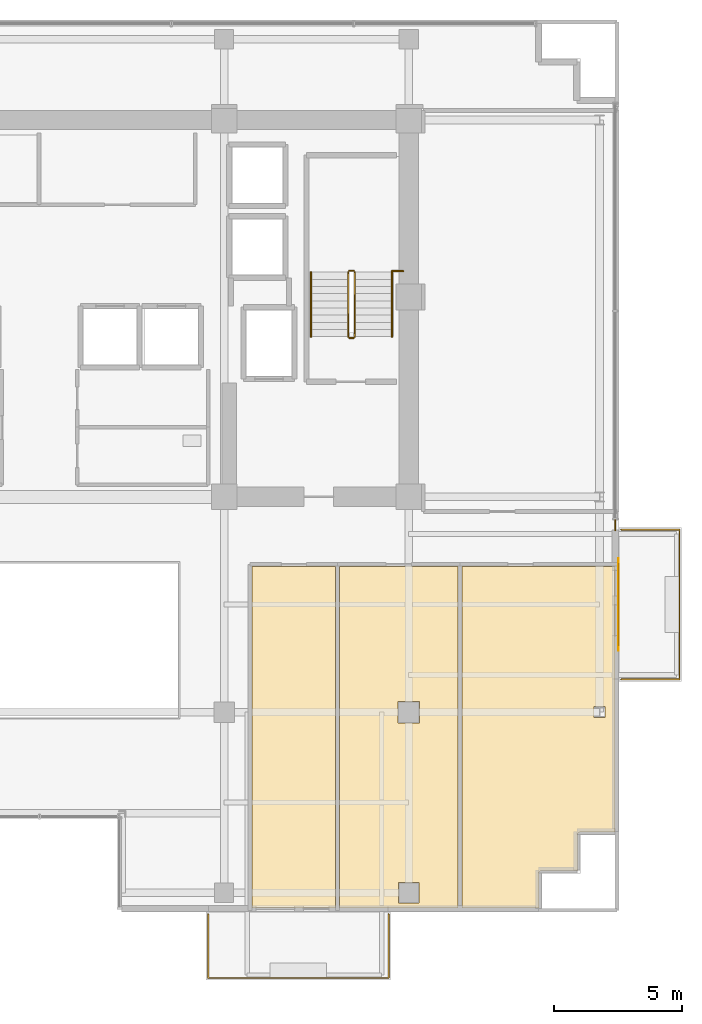
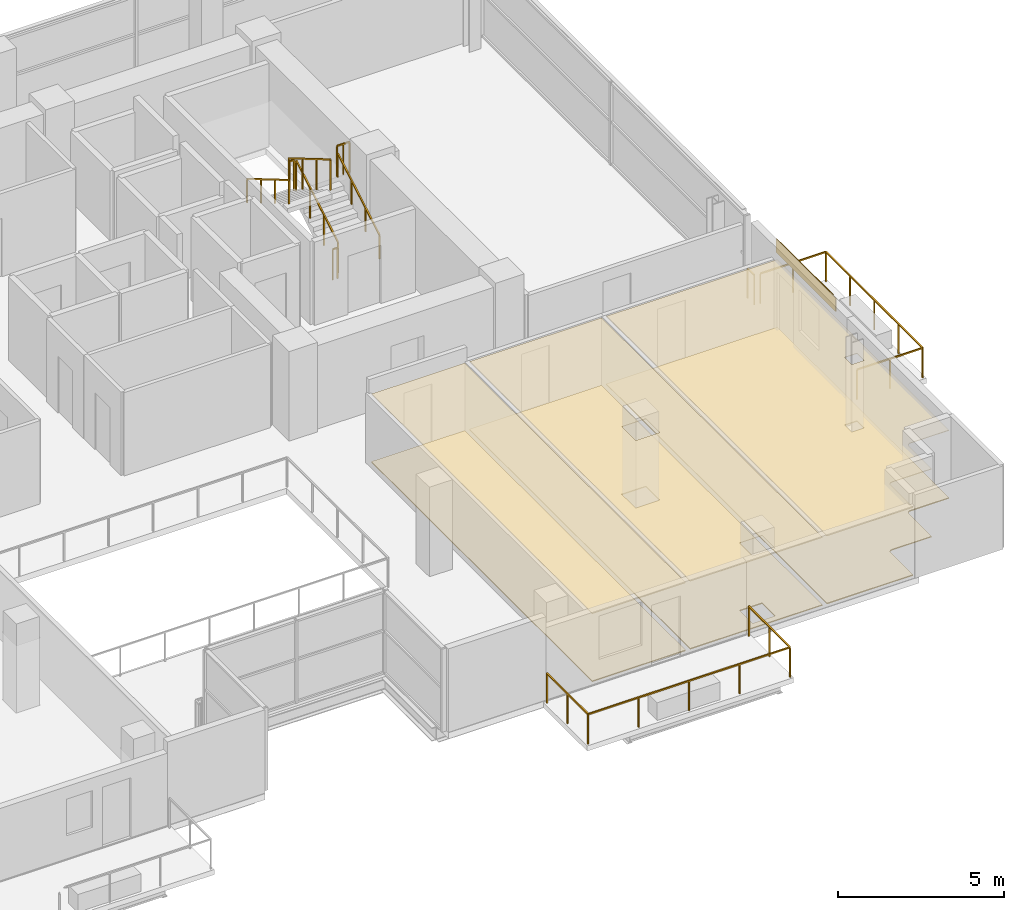
# One storey, part 24 of 25: 10 railings, 7 coverings, 1 shading device.
"""IFC4 building model written with IfcOpenShell, lengths in metres."""

from ifc_helpers import new_model, si_unit, direction, frame, origin, origin_2d, place, context, subcontext, project, spatial, polyline, rectangle, outline, extrude, source, transform, mapped, material, layer, layer_set, type_object, element, save


model = new_model("IFC4")

# Units and contexts
model_context = context("Model", 3, precision=1e-05, world=origin(), true_north=direction((0.0, 1.0)))
body_context = subcontext(model_context, "Body", "Model", "MODEL_VIEW")
ifc_project = project(units=[si_unit("LENGTHUNIT", "METRE"), si_unit("AREAUNIT", "SQUARE_METRE"), si_unit("VOLUMEUNIT", "CUBIC_METRE"), si_unit("PLANEANGLEUNIT", "RADIAN"), si_unit("MASSUNIT", "GRAM", prefix="KILO")], contexts=[model_context])

# Site, building, storey
site_placement = place(None, origin())
site = spatial("IfcSite", under=ifc_project, at=site_placement, CompositionType="ELEMENT")
building_placement = place(site_placement, origin())
building = spatial("IfcBuilding", under=site, at=building_placement, Name="Zarnakvel Exchange Tower", CompositionType="ELEMENT")
storey_placement = place(building_placement, frame((0.0, 0.0, 156.10009765625)))
storey = spatial("IfcBuildingStorey", under=building, at=storey_placement, Name="L43", CompositionType="ELEMENT", Elevation=156.10009765625)

# Coverings
ifc_material_1 = material(Name="Perforated Bronze Acoustic Metal Ceiling", Category="aluminium")
ifc_layer_1 = layer(ifc_material_1, 0.02001953125)
ifc_layer_set_1 = layer_set([ifc_layer_1], Name="Perforated Bronze Acoustic Metal Ceiling")
covering_type_1 = type_object("IfcCoveringType", Name="CLG-01", PredefinedType="CEILING", material=ifc_layer_set_1)
covering_1_placement = place(storey_placement, frame((0.0, 0.0, 2.5048828125)))
element("IfcCovering", 1, at=covering_1_placement, inside=storey, type_object=covering_type_1, Name="L43 Suspended Acoustic Ceiling (Meeting Room)", PredefinedType="CEILING", context=body_context, shape_type="SweptSolid", body=[
    extrude(outline(polyline([(8.294677734375, -3.909912109375), (11.550048828125, -3.909912109375), (11.550048828125, -17.25), (8.294677734375, -17.25), (8.294677734375, -3.909912109375)])), origin(), (0.0, 0.0, 1.0), 0.02001953125),
])
covering_2_placement = place(storey_placement, frame((0.0, 0.0, 2.5048828125)))
element("IfcCovering", 2, at=covering_2_placement, inside=storey, type_object=covering_type_1, Name="L43 Suspended Acoustic Ceiling (Breakout Pantry)", PredefinedType="CEILING", context=body_context, shape_type="SweptSolid", body=[
    extrude(outline(polyline([(11.7099609375, -3.909912109375), (16.32177734375, -3.909912109375), (16.32177734375, -17.25), (11.7099609375, -17.25), (11.7099609375, -3.909912109375)]), holes=[polyline([(14.820068359375, -10.02001953125), (14.820068359375, -9.179931640625), (13.97998046875, -9.179931640625), (13.97998046875, -10.02001953125), (14.820068359375, -10.02001953125)]), polyline([(14.794921875, -17.044921875), (14.794921875, -16.2548828125), (14.0048828125, -16.2548828125), (14.0048828125, -17.044921875), (14.794921875, -17.044921875)])]), origin(), (0.0, 0.0, 1.0), 0.02001953125),
])
covering_3_placement = place(storey_placement, frame((0.0, 0.0, 2.5048828125)))
element("IfcCovering", 3, at=covering_3_placement, inside=storey, type_object=covering_type_1, Name="L43 Suspended Acoustic Ceiling (Settlement Office)", PredefinedType="CEILING", context=body_context, shape_type="SweptSolid", body=[
    extrude(outline(polyline([(16.481689453125, -3.909912109375), (22.449951171875, -3.909912109375), (22.449951171875, -14.280029296875), (21.10009765625, -14.280029296875), (21.088134765625, -14.280517578125), (21.07666015625, -14.2822265625), (21.065185546875, -14.28515625), (21.05419921875, -14.2890625), (21.04345703125, -14.294189453125), (21.033447265625, -14.30029296875), (21.02392578125, -14.30712890625), (21.01513671875, -14.315185546875), (21.00732421875, -14.323974609375), (21.000244140625, -14.333251953125), (20.994140625, -14.343505859375), (20.989013671875, -14.35400390625), (20.985107421875, -14.365234375), (20.982421875, -14.376708984375), (20.98046875, -14.38818359375), (20.97998046875, -14.39990234375), (20.97998046875, -15.780029296875), (19.60009765625, -15.780029296875), (19.588134765625, -15.780517578125), (19.57666015625, -15.7822265625), (19.565185546875, -15.78515625), (19.55419921875, -15.7890625), (19.54345703125, -15.794189453125), (19.533447265625, -15.80029296875), (19.52392578125, -15.80712890625), (19.51513671875, -15.815185546875), (19.50732421875, -15.823974609375), (19.500244140625, -15.833251953125), (19.494140625, -15.843505859375), (19.489013671875, -15.85400390625), (19.485107421875, -15.865234375), (19.482421875, -15.876708984375), (19.48046875, -15.88818359375), (19.47998046875, -15.89990234375), (19.47998046875, -17.25), (16.481689453125, -17.25), (16.481689453125, -3.909912109375)]), holes=[polyline([(22.069580078125, -9.81689453125), (22.069580078125, -9.38330078125), (21.630615234375, -9.38330078125), (21.630615234375, -9.81689453125), (22.069580078125, -9.81689453125)])]), origin(), (0.0, 0.0, 1.0), 0.02001953125),
])
ifc_material_2 = material(Name="Heavy-Duty Raised Access Floor Panel", Category="steel")
ifc_layer_2 = layer(ifc_material_2, 0.034912109375)
ifc_layer_set_2 = layer_set([ifc_layer_2], Name="Heavy-Duty Raised Access Floor Panel")
covering_type_2 = type_object("IfcCoveringType", Name="FLR-02", PredefinedType="FLOORING", material=ifc_layer_set_2)
covering_4_placement = place(storey_placement, origin())
element("IfcCovering", 4, at=covering_4_placement, inside=storey, type_object=covering_type_2, Name="L43 Floor Finish (Meeting Room)", PredefinedType="FLOORING", context=body_context, shape_type="SweptSolid", body=[
    extrude(outline(polyline([(8.294677734375, -3.909912109375), (11.550048828125, -3.909912109375), (11.550048828125, -17.25), (8.294677734375, -17.25), (8.294677734375, -3.909912109375)])), origin(), (0.0, 0.0, 1.0), 0.034912109375),
])
covering_5_placement = place(storey_placement, origin())
element("IfcCovering", 5, at=covering_5_placement, inside=storey, type_object=covering_type_2, Name="L43 Floor Finish (Breakout Pantry)", PredefinedType="FLOORING", context=body_context, shape_type="SweptSolid", body=[
    extrude(outline(polyline([(11.7099609375, -3.909912109375), (16.32177734375, -3.909912109375), (16.32177734375, -17.25), (11.7099609375, -17.25), (11.7099609375, -3.909912109375)]), holes=[polyline([(14.820068359375, -10.02001953125), (14.820068359375, -9.179931640625), (13.97998046875, -9.179931640625), (13.97998046875, -10.02001953125), (14.820068359375, -10.02001953125)]), polyline([(14.794921875, -17.044921875), (14.794921875, -16.2548828125), (14.0048828125, -16.2548828125), (14.0048828125, -17.044921875), (14.794921875, -17.044921875)])]), origin(), (0.0, 0.0, 1.0), 0.034912109375),
])
covering_6_placement = place(storey_placement, origin())
element("IfcCovering", 6, at=covering_6_placement, inside=storey, type_object=covering_type_2, Name="L43 Floor Finish (Settlement Office)", PredefinedType="FLOORING", context=body_context, shape_type="SweptSolid", body=[
    extrude(outline(polyline([(16.481689453125, -3.909912109375), (22.449951171875, -3.909912109375), (22.449951171875, -14.280029296875), (21.10009765625, -14.280029296875), (21.088134765625, -14.280517578125), (21.07666015625, -14.2822265625), (21.065185546875, -14.28515625), (21.05419921875, -14.2890625), (21.04345703125, -14.294189453125), (21.033447265625, -14.30029296875), (21.02392578125, -14.30712890625), (21.01513671875, -14.315185546875), (21.00732421875, -14.323974609375), (21.000244140625, -14.333251953125), (20.994140625, -14.343505859375), (20.989013671875, -14.35400390625), (20.985107421875, -14.365234375), (20.982421875, -14.376708984375), (20.98046875, -14.38818359375), (20.97998046875, -14.39990234375), (20.97998046875, -15.780029296875), (19.60009765625, -15.780029296875), (19.588134765625, -15.780517578125), (19.57666015625, -15.7822265625), (19.565185546875, -15.78515625), (19.55419921875, -15.7890625), (19.54345703125, -15.794189453125), (19.533447265625, -15.80029296875), (19.52392578125, -15.80712890625), (19.51513671875, -15.815185546875), (19.50732421875, -15.823974609375), (19.500244140625, -15.833251953125), (19.494140625, -15.843505859375), (19.489013671875, -15.85400390625), (19.485107421875, -15.865234375), (19.482421875, -15.876708984375), (19.48046875, -15.88818359375), (19.47998046875, -15.89990234375), (19.47998046875, -17.25), (16.481689453125, -17.25), (16.481689453125, -3.909912109375)]), holes=[polyline([(22.069580078125, -9.81689453125), (22.069580078125, -9.38330078125), (21.630615234375, -9.38330078125), (21.630615234375, -9.81689453125), (22.069580078125, -9.81689453125)])]), origin(), (0.0, 0.0, 1.0), 0.034912109375),
])

# Railings
ifc_material_3 = material(Name="Architectural Bronze Anodised Aluminium", Category="aluminium")
railing_type_1 = type_object("IfcRailingType", Name="GR-02", PredefinedType="GUARDRAIL", material=ifc_material_3)
railing_1_placement = place(storey_placement, frame((6.580078125, -17.47998046875, -0.03515625)))
element("IfcRailing", 7, at=railing_1_placement, inside=storey, type_object=railing_type_1, Name="L43 Balcony Guardrail BAL-L43-SE", PredefinedType="GUARDRAIL", context=body_context, shape_type="SweptSolid", body=[
    extrude(rectangle(XDim=0.048095703125, YDim=0.048095703125, at=origin_2d()), frame((0.0, 0.0, 1.09619140625), z_axis=(0.0, -1.0, 0.0), x_axis=(1.0, 0.0, 0.0)), (0.0, 0.0, 1.0), 2.489990234375),
    extrude(rectangle(XDim=0.048095703125, YDim=0.048095703125, at=origin_2d()), frame((0.0, -2.489990234375, 1.09619140625), z_axis=(1.0, 0.0, 0.0), x_axis=(0.0, 1.0, 0.0)), (0.0, 0.0, 1.0), 7.0400390625),
    extrude(rectangle(XDim=0.048095703125, YDim=0.048095703125, at=origin_2d()), frame((7.0400390625, -2.489990234375, 1.09619140625), z_axis=(0.0, 1.0, 0.0), x_axis=(-1.0, 0.0, 0.0)), (0.0, 0.0, 1.0), 2.489990234375),
    extrude(rectangle(XDim=0.0419921875, YDim=0.0419921875, at=origin_2d()), origin(), (0.0, 0.0, 1.0), 1.072021484375),
    extrude(rectangle(XDim=0.0419921875, YDim=0.0419921875, at=origin_2d()), frame((0.0, -1.2451171875, 0.0)), (0.0, 0.0, 1.0), 1.072021484375),
    extrude(rectangle(XDim=0.0419921875, YDim=0.0419921875, at=origin_2d()), frame((0.0, -2.489990234375, 0.0)), (0.0, 0.0, 1.0), 1.072021484375),
    extrude(rectangle(XDim=0.0419921875, YDim=0.0419921875, at=origin_2d()), frame((1.760009765625, -2.489990234375, 0.0)), (0.0, 0.0, 1.0), 1.072021484375),
    extrude(rectangle(XDim=0.0419921875, YDim=0.0419921875, at=origin_2d()), frame((3.52001953125, -2.489990234375, 0.0)), (0.0, 0.0, 1.0), 1.072021484375),
    extrude(rectangle(XDim=0.0419921875, YDim=0.0419921875, at=origin_2d()), frame((5.280029296875, -2.489990234375, 0.0)), (0.0, 0.0, 1.0), 1.072021484375),
    extrude(rectangle(XDim=0.0419921875, YDim=0.0419921875, at=origin_2d()), frame((7.0400390625, -2.489990234375, 0.0)), (0.0, 0.0, 1.0), 1.072021484375),
    extrude(rectangle(XDim=0.0419921875, YDim=0.0419921875, at=origin_2d()), frame((7.0400390625, -1.2451171875, 0.0)), (0.0, 0.0, 1.0), 1.072021484375),
    extrude(rectangle(XDim=0.0419921875, YDim=0.0419921875, at=origin_2d()), frame((7.0400390625, 0.0, 0.0)), (0.0, 0.0, 1.0), 1.072021484375),
])
railing_2_placement = place(storey_placement, frame((22.679931640625, -8.320068359375, -0.03515625)))
element("IfcRailing", 8, at=railing_2_placement, inside=storey, type_object=railing_type_1, Name="L43 Balcony Guardrail BAL-L43-E", PredefinedType="GUARDRAIL", context=body_context, shape_type="SweptSolid", body=[
    extrude(rectangle(XDim=0.048095703125, YDim=0.048095703125, at=origin_2d()), frame((0.0, 0.0, 1.09619140625), z_axis=(1.0, 0.0, 0.0), x_axis=(0.0, 1.0, 0.0)), (0.0, 0.0, 1.0), 2.2900390625),
    extrude(rectangle(XDim=0.048095703125, YDim=0.048095703125, at=origin_2d()), frame((2.2900390625, 0.0, 1.09619140625), z_axis=(0.0, 1.0, 0.0), x_axis=(-1.0, 0.0, 0.0)), (0.0, 0.0, 1.0), 5.840087890625),
    extrude(rectangle(XDim=0.048095703125, YDim=0.048095703125, at=origin_2d()), frame((2.2900390625, 5.840087890625, 1.09619140625), z_axis=(-1.0, 0.0, 0.0), x_axis=(0.0, -1.0, 0.0)), (0.0, 0.0, 1.0), 2.2900390625),
    extrude(rectangle(XDim=0.0419921875, YDim=0.0419921875, at=origin_2d()), origin(), (0.0, 0.0, 1.0), 1.072021484375),
    extrude(rectangle(XDim=0.0419921875, YDim=0.0419921875, at=origin_2d()), frame((1.14501953125, 0.0, 0.0)), (0.0, 0.0, 1.0), 1.072021484375),
    extrude(rectangle(XDim=0.0419921875, YDim=0.0419921875, at=origin_2d()), frame((2.2900390625, 0.0, 0.0)), (0.0, 0.0, 1.0), 1.072021484375),
    extrude(rectangle(XDim=0.0419921875, YDim=0.0419921875, at=origin_2d()), frame((2.2900390625, 1.4599609375, 0.0)), (0.0, 0.0, 1.0), 1.072021484375),
    extrude(rectangle(XDim=0.0419921875, YDim=0.0419921875, at=origin_2d()), frame((2.2900390625, 2.919921875, 0.0)), (0.0, 0.0, 1.0), 1.072021484375),
    extrude(rectangle(XDim=0.0419921875, YDim=0.0419921875, at=origin_2d()), frame((2.2900390625, 4.380126953125, 0.0)), (0.0, 0.0, 1.0), 1.072021484375),
    extrude(rectangle(XDim=0.0419921875, YDim=0.0419921875, at=origin_2d()), frame((2.2900390625, 5.840087890625, 0.0)), (0.0, 0.0, 1.0), 1.072021484375),
    extrude(rectangle(XDim=0.0419921875, YDim=0.0419921875, at=origin_2d()), frame((1.14501953125, 5.840087890625, 0.0)), (0.0, 0.0, 1.0), 1.072021484375),
    extrude(rectangle(XDim=0.0419921875, YDim=0.0419921875, at=origin_2d()), frame((0.0, 5.840087890625, 0.0)), (0.0, 0.0, 1.0), 1.072021484375),
])
railing_3_placement = place(storey_placement, frame((22.4599609375, -2.10009765625, 0.0)))
element("IfcRailing", 9, at=railing_3_placement, inside=storey, type_object=railing_type_1, Name="L43 Corner Spandrel Balustrade #9", PredefinedType="GUARDRAIL", context=body_context, shape_type="SweptSolid", body=[
    extrude(rectangle(XDim=0.048095703125, YDim=0.048095703125, at=origin_2d()), frame((0.0, 0.0, 1.09619140625), z_axis=(0.0, -1.0, 0.0), x_axis=(1.0, 0.0, 0.0)), (0.0, 0.0, 1.0), 0.39990234375),
    extrude(rectangle(XDim=0.0419921875, YDim=0.0419921875, at=origin_2d()), origin(), (0.0, 0.0, 1.0), 1.072021484375),
    extrude(rectangle(XDim=0.0419921875, YDim=0.0419921875, at=origin_2d()), frame((0.0, -0.39990234375, 0.0)), (0.0, 0.0, 1.0), 1.072021484375),
])
ifc_material_4 = material(Name="Brushed Stainless Steel", Category="steel")
railing_type_2 = type_object("IfcRailingType", Name="HR-01", PredefinedType="HANDRAIL", material=ifc_material_4)
railing_4_placement = place(storey_placement, frame((13.75, 5.050048828125, 0.164794921875)))
element("IfcRailing", 10, at=railing_4_placement, inside=storey, type_object=railing_type_2, Name="L43 ST-02 stair handrail 1", PredefinedType="HANDRAIL", context=body_context, shape_type="SweptSolid", body=[
    extrude(rectangle(XDim=0.048095703125, YDim=0.048095703125, at=origin_2d()), frame((0.0, 0.0, 0.8759765625), z_axis=(0.0, 0.86152411907, 0.507716645641), x_axis=(-1.0, 0.0, 0.0)), (0.0, 0.0, 1.0), 2.925048828125),
    extrude(rectangle(XDim=0.0419921875, YDim=0.0419921875, at=origin_2d()), origin(), (0.0, 0.0, 1.0), 0.851806640625),
    extrude(rectangle(XDim=0.0419921875, YDim=0.0419921875, at=origin_2d()), frame((0.0, 0.840087890625, 0.4951171875)), (0.0, 0.0, 1.0), 0.851806640625),
    extrude(rectangle(XDim=0.0419921875, YDim=0.0419921875, at=origin_2d()), frame((0.0, 1.679931640625, 0.989990234375)), (0.0, 0.0, 1.0), 0.851806640625),
    extrude(rectangle(XDim=0.0419921875, YDim=0.0419921875, at=origin_2d()), frame((0.0, 2.52001953125, 1.485107421875)), (0.0, 0.0, 1.0), 0.851806640625),
])
railing_5_placement = place(storey_placement, frame((10.590087890625, 7.570068359375, 1.81494140625)))
element("IfcRailing", 11, at=railing_5_placement, inside=storey, type_object=railing_type_2, Name="L43 ST-02 stair handrail 2", PredefinedType="HANDRAIL", context=body_context, shape_type="SweptSolid", body=[
    extrude(rectangle(XDim=0.048095703125, YDim=0.048095703125, at=origin_2d()), frame((0.0, 0.0, 0.8759765625), z_axis=(0.0, -0.861560626758, 0.507654692109), x_axis=(1.0, 0.0, 0.0)), (0.0, 0.0, 1.0), 2.925048828125),
    extrude(rectangle(XDim=0.0419921875, YDim=0.0419921875, at=origin_2d()), origin(), (0.0, 0.0, 1.0), 0.851806640625),
    extrude(rectangle(XDim=0.0419921875, YDim=0.0419921875, at=origin_2d()), frame((0.0, -0.840087890625, 0.494873046875)), (0.0, 0.0, 1.0), 0.851806640625),
    extrude(rectangle(XDim=0.0419921875, YDim=0.0419921875, at=origin_2d()), frame((0.0, -1.679931640625, 0.989990234375)), (0.0, 0.0, 1.0), 0.851806640625),
    extrude(rectangle(XDim=0.0419921875, YDim=0.0419921875, at=origin_2d()), frame((0.0, -2.52001953125, 1.48486328125)), (0.0, 0.0, 1.0), 0.851806640625),
])
railing_type_3 = type_object("IfcRailingType", Name="SG-01", PredefinedType="GUARDRAIL", material=ifc_material_3)
railing_6_placement = place(storey_placement, frame((12.300048828125, 5.050048828125, 0.164794921875)))
element("IfcRailing", 12, at=railing_6_placement, inside=storey, type_object=railing_type_3, Name="L43 ST-02 stair guard 1", PredefinedType="GUARDRAIL", context=body_context, shape_type="SweptSolid", body=[
    extrude(rectangle(XDim=0.048095703125, YDim=0.048095703125, at=origin_2d()), frame((0.0, 0.0, 1.1259765625), z_axis=(0.0, 0.86152411907, 0.507716645641), x_axis=(-1.0, 0.0, 0.0)), (0.0, 0.0, 1.0), 2.925048828125),
    extrude(rectangle(XDim=0.0419921875, YDim=0.0419921875, at=origin_2d()), origin(), (0.0, 0.0, 1.0), 1.101806640625),
    extrude(rectangle(XDim=0.0419921875, YDim=0.0419921875, at=origin_2d()), frame((0.0, 0.840087890625, 0.4951171875)), (0.0, 0.0, 1.0), 1.101806640625),
    extrude(rectangle(XDim=0.0419921875, YDim=0.0419921875, at=origin_2d()), frame((0.0, 1.679931640625, 0.989990234375)), (0.0, 0.0, 1.0), 1.101806640625),
    extrude(rectangle(XDim=0.0419921875, YDim=0.0419921875, at=origin_2d()), frame((0.0, 2.52001953125, 1.485107421875)), (0.0, 0.0, 1.0), 1.101806640625),
])
railing_7_placement = place(storey_placement, frame((12.25, 7.6201171875, 1.64990234375)))
element("IfcRailing", 13, at=railing_7_placement, inside=storey, type_object=railing_type_3, Name="L43 ST-02 stair guard 2", PredefinedType="GUARDRAIL", context=body_context, shape_type="SweptSolid", body=[
    extrude(rectangle(XDim=0.048095703125, YDim=0.048095703125, at=origin_2d()), frame((0.0, 0.0, 1.1259765625), z_axis=(-1.0, 0.0, 0.0), x_axis=(0.0, -1.0, 0.0)), (0.0, 0.0, 1.0), 0.159912109375),
    extrude(rectangle(XDim=0.0419921875, YDim=0.0419921875, at=origin_2d()), origin(), (0.0, 0.0, 1.0), 1.101806640625),
    extrude(rectangle(XDim=0.0419921875, YDim=0.0419921875, at=origin_2d()), frame((-0.159912109375, 0.0, 0.0)), (0.0, 0.0, 1.0), 1.101806640625),
])
railing_8_placement = place(storey_placement, frame((12.0400390625, 7.570068359375, 1.81494140625)))
element("IfcRailing", 14, at=railing_8_placement, inside=storey, type_object=railing_type_3, Name="L43 ST-02 stair guard 3", PredefinedType="GUARDRAIL", context=body_context, shape_type="SweptSolid", body=[
    extrude(rectangle(XDim=0.048095703125, YDim=0.048095703125, at=origin_2d()), frame((0.0, 0.0, 1.1259765625), z_axis=(0.0, -0.861560626758, 0.507654692109), x_axis=(1.0, 0.0, 0.0)), (0.0, 0.0, 1.0), 2.925048828125),
    extrude(rectangle(XDim=0.0419921875, YDim=0.0419921875, at=origin_2d()), origin(), (0.0, 0.0, 1.0), 1.101806640625),
    extrude(rectangle(XDim=0.0419921875, YDim=0.0419921875, at=origin_2d()), frame((0.0, -0.840087890625, 0.494873046875)), (0.0, 0.0, 1.0), 1.101806640625),
    extrude(rectangle(XDim=0.0419921875, YDim=0.0419921875, at=origin_2d()), frame((0.0, -1.679931640625, 0.989990234375)), (0.0, 0.0, 1.0), 1.101806640625),
    extrude(rectangle(XDim=0.0419921875, YDim=0.0419921875, at=origin_2d()), frame((0.0, -2.52001953125, 1.48486328125)), (0.0, 0.0, 1.0), 1.101806640625),
])
railing_9_placement = place(storey_placement, frame((12.25, 5.0, 0.0)))
element("IfcRailing", 15, at=railing_9_placement, inside=storey, type_object=railing_type_3, Name="L43 ST-02 stair guard 4", PredefinedType="GUARDRAIL", context=body_context, shape_type="SweptSolid", body=[
    extrude(rectangle(XDim=0.048095703125, YDim=0.048095703125, at=origin_2d()), frame((0.0, 0.0, 1.1259765625), z_axis=(-1.0, 0.0, 0.0), x_axis=(0.0, -1.0, 0.0)), (0.0, 0.0, 1.0), 0.159912109375),
    extrude(rectangle(XDim=0.0419921875, YDim=0.0419921875, at=origin_2d()), origin(), (0.0, 0.0, 1.0), 1.101806640625),
    extrude(rectangle(XDim=0.0419921875, YDim=0.0419921875, at=origin_2d()), frame((-0.159912109375, 0.0, 0.0)), (0.0, 0.0, 1.0), 1.101806640625),
])
railing_10_placement = place(storey_placement, frame((13.75, 7.610107421875, 1.64990234375)))
element("IfcRailing", 16, at=railing_10_placement, inside=storey, type_object=railing_type_3, Name="L43 ST-02 Landing Slot Guardrail", PredefinedType="GUARDRAIL", context=body_context, shape_type="SweptSolid", body=[
    extrude(rectangle(XDim=0.048095703125, YDim=0.048095703125, at=origin_2d()), frame((0.0, 0.0, 1.1259765625), z_axis=(1.0, 0.0, 0.0), x_axis=(0.0, 1.0, 0.0)), (0.0, 0.0, 1.0), 0.429931640625),
    extrude(rectangle(XDim=0.0419921875, YDim=0.0419921875, at=origin_2d()), origin(), (0.0, 0.0, 1.0), 1.101806640625),
    extrude(rectangle(XDim=0.0419921875, YDim=0.0419921875, at=origin_2d()), frame((0.21484375, 0.0, 0.0)), (0.0, 0.0, 1.0), 1.101806640625),
    extrude(rectangle(XDim=0.0419921875, YDim=0.0419921875, at=origin_2d()), frame((0.429931640625, 0.0, 0.0)), (0.0, 0.0, 1.0), 1.101806640625),
])

# Shading device
ifc_material_5 = material(Name="Perforated Architectural Bronze Screen", Category="aluminium")
ifc_layer_3 = layer(ifc_material_5, 0.044921875)
ifc_layer_set_3 = layer_set([ifc_layer_3], Name="Perforated Architectural Bronze Screen")
shading_device_type = type_object("IfcShadingDeviceType", Name="SS-01", PredefinedType="JALOUSIE", material=ifc_layer_set_3)
shared_shape_1 = source(origin(), body_context, "Body", "SweptSolid", [
    extrude(rectangle(XDim=3.199951171875, YDim=0.044921875, at=origin_2d()), origin(), (0.0, 0.0, 1.0), 0.4951171875),
])
shading_device_placement = place(storey_placement, frame((22.6005859375, -5.39990234375, 2.559814453125), z_axis=(0.0, 0.0, 1.0), x_axis=(0.0, -1.0, 0.0)))
element("IfcShadingDevice", 17, at=shading_device_placement, inside=storey, type_object=shading_device_type, Name="L43 Bronze Solar Shading Screen SS-01", PredefinedType="JALOUSIE", context=body_context, shape_type="MappedRepresentation", body=[
    mapped(shared_shape_1, transform((0.0, 0.0, 0.0), x_axis=(1.0, 0.0, 0.0), y_axis=(0.0, 1.0, 0.0), z_axis=(0.0, 0.0, 1.0), scale=1.0)),
])

# Covering
ifc_material_6 = material(Name="Glazed Turquoise Ceramic Architectural Tile", Category="ceramic")
ifc_layer_4 = layer(ifc_material_6, 0.028076171875)
ifc_layer_set_4 = layer_set([ifc_layer_4], Name="Glazed Turquoise Ceramic Architectural Tile")
covering_type_3 = type_object("IfcCoveringType", Name="CL-01", PredefinedType="CLADDING", material=ifc_layer_set_4)
shared_shape_2 = source(origin(), body_context, "Body", "SweptSolid", [
    extrude(rectangle(XDim=3.60009765625, YDim=0.028076171875, at=origin_2d()), origin(), (0.0, 0.0, 1.0), 0.4951171875),
])
covering_7_placement = place(storey_placement, frame((22.592041015625, -5.39990234375, 2.559814453125), z_axis=(0.0, 0.0, 1.0), x_axis=(0.0, -1.0, 0.0)))
element("IfcCovering", 18, at=covering_7_placement, inside=storey, type_object=covering_type_3, Name="L43 Ceramic Spandrel Tilework CL-01", PredefinedType="CLADDING", context=body_context, shape_type="MappedRepresentation", body=[
    mapped(shared_shape_2, transform((0.0, 0.0, 0.0), x_axis=(1.0, 0.0, 0.0), y_axis=(0.0, 1.0, 0.0), z_axis=(0.0, 0.0, 1.0), scale=1.0)),
])

save(model, "model.ifc")
